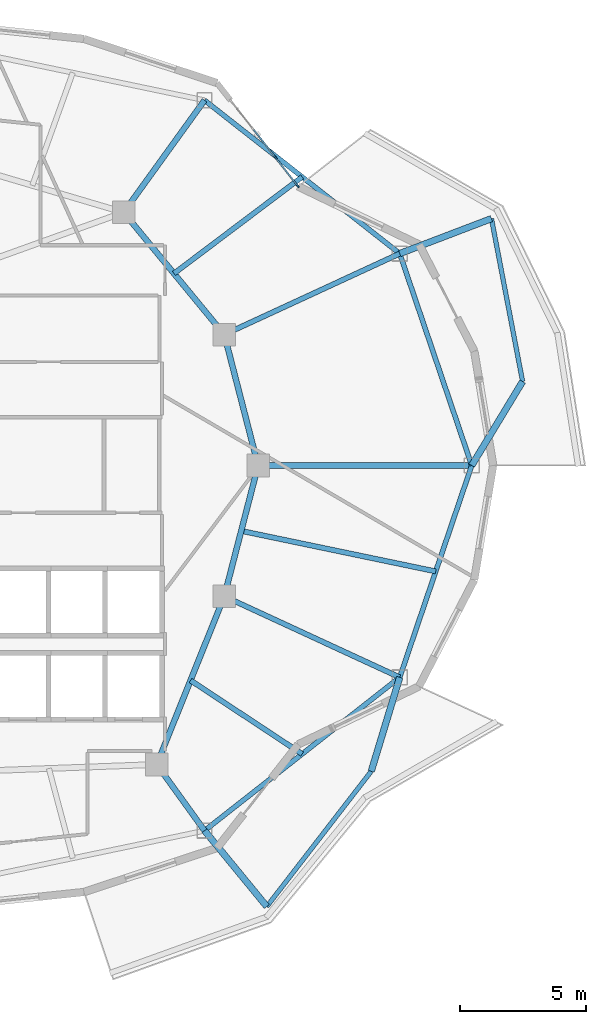
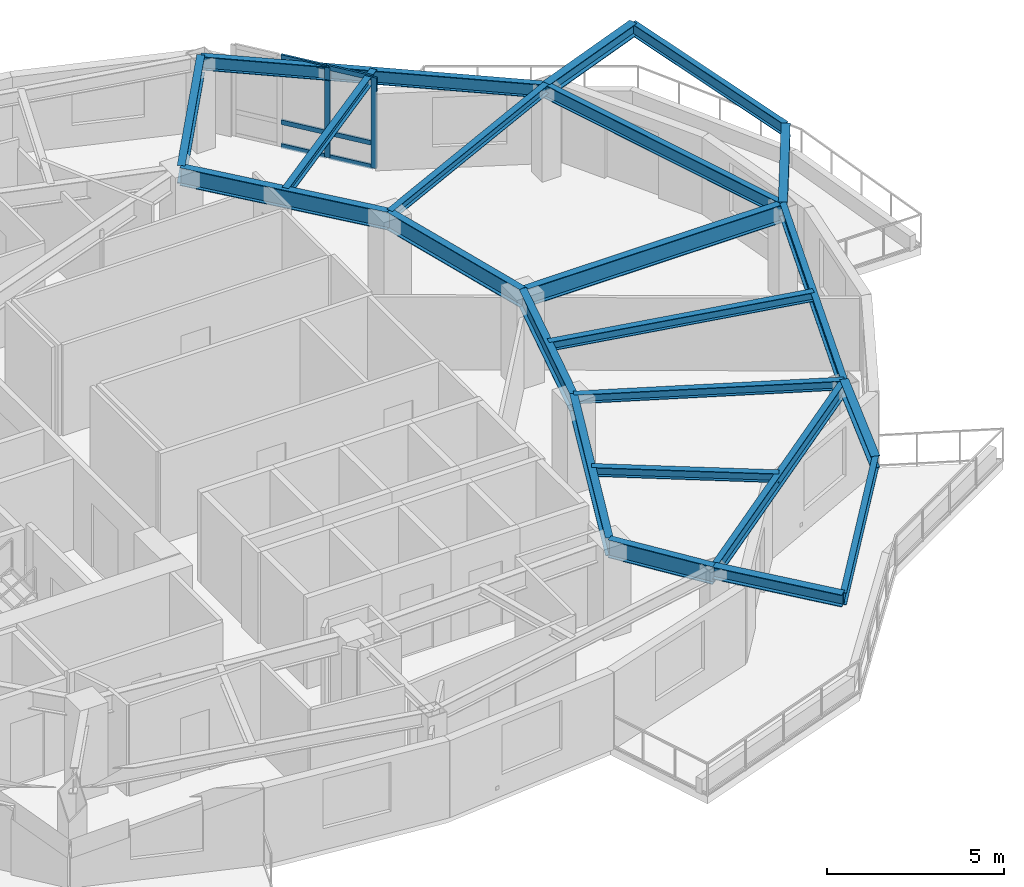
# One storey, part 3 of 13: 22 beams, 8 members, 1 element without a shape of its own.
"""IFC4 building model written with IfcOpenShell, lengths in metres."""

from ifc_helpers import new_model, si_unit, direction, frame, origin, origin_2d, place, context, subcontext, project, spatial, rectangle, i_section, extrude, material, layer, layer_set, material_profile, profile_set, type_object, element, aggregate, save


model = new_model("IFC4")

# Units and contexts
model_context = context("Model", 3, precision=1e-05, world=origin(), true_north=direction((0.0, 1.0)))
body_context = subcontext(model_context, "Body", "Model", "MODEL_VIEW")
ifc_project = project(units=[si_unit("LENGTHUNIT", "METRE"), si_unit("AREAUNIT", "SQUARE_METRE"), si_unit("VOLUMEUNIT", "CUBIC_METRE"), si_unit("PLANEANGLEUNIT", "RADIAN"), si_unit("MASSUNIT", "GRAM", prefix="KILO")], contexts=[model_context])

# Site, building, storey
site_placement = place(None, origin())
site = spatial("IfcSite", under=ifc_project, at=site_placement, CompositionType="ELEMENT")
building_placement = place(site_placement, origin())
building = spatial("IfcBuilding", under=site, at=building_placement, Name="Kolvaren Gate Tower and Convention Centre", CompositionType="ELEMENT")
storey_placement = place(building_placement, frame((0.0, 0.0, 142.699951171875)))
storey = spatial("IfcBuildingStorey", under=building, at=storey_placement, Name="L36", CompositionType="ELEMENT", Elevation=142.699951171875)

# Curtain wall, members
ifc_material_1 = material(Name="Anodized Architectural Aluminium Alloy 6063-T6", Category="aluminium")
ifc_layer = layer(ifc_material_1, 0.159912109375)
ifc_layer_set = layer_set([ifc_layer], Name="Anodized Architectural Aluminium Alloy 6063-T6")
curtain_wall_type = type_object("IfcCurtainWallType", Name="CW-HTL-UNIT", PredefinedType="NOTDEFINED", material=ifc_layer_set)
curtain_wall_placement = place(storey_placement, origin())
curtain_wall = element("IfcCurtainWall", 1, at=curtain_wall_placement, inside=storey, type_object=curtain_wall_type, Name="Tower L36 Unitised Curtain Wall CW-HTL-UNIT Bay 03", PredefinedType="NOTDEFINED")
ifc_material_profile_1 = material_profile(ifc_material_1, rectangle(XDim=0.06494140625, YDim=0.159912109375, at=origin_2d()), Name="CW-MEM-MUL-160")
ifc_profile_set_1 = profile_set([ifc_material_profile_1], Name="Anodized Architectural Aluminium Alloy 6063-T6")
member_type_1 = type_object("IfcMemberType", Name="CW-MEM-MUL-160", PredefinedType="MULLION", material=ifc_profile_set_1)
member_1_placement = place(storey_placement, frame((43.420166015625, 39.22705078125, 0.0), z_axis=(0.0, 0.0, 1.0), x_axis=(0.787403535469, 0.616437890084, 0.0)))
member_1 = element("IfcMember", 2, at=member_1_placement, type_object=member_type_1, Name="CW-03 mullion 3", PredefinedType="MULLION", context=body_context, shape_type="SweptSolid", body=[
    extrude(rectangle(XDim=0.06494140625, YDim=0.159912109375, at=origin_2d()), origin(), (0.0, 0.0, 1.0), 3.130126953125),
])
member_2_placement = place(storey_placement, frame((44.29345703125, 38.111572265625, 0.0), z_axis=(0.0, 0.0, 1.0), x_axis=(0.787403535469, 0.616437890084, 0.0)))
member_2 = element("IfcMember", 3, at=member_2_placement, type_object=member_type_1, Name="CW-03 mullion 4", PredefinedType="MULLION", context=body_context, shape_type="SweptSolid", body=[
    extrude(rectangle(XDim=0.06494140625, YDim=0.159912109375, at=origin_2d()), origin(), (0.0, 0.0, 1.0), 3.130126953125),
])
ifc_material_profile_2 = material_profile(ifc_material_1, rectangle(XDim=0.06494140625, YDim=0.159912109375, at=origin_2d()), Name="CW-MEM-TRN-160")
ifc_profile_set_2 = profile_set([ifc_material_profile_2], Name="Anodized Architectural Aluminium Alloy 6063-T6")
member_type_2 = type_object("IfcMemberType", Name="CW-MEM-TRN-160", PredefinedType="USERDEFINED", material=ifc_profile_set_2)
member_3_placement = place(storey_placement, frame((42.547119140625, 40.34228515625, 0.032470703125), z_axis=(0.616355825524, -0.787467774796, 0.0), x_axis=(0.787467774796, 0.616355825524, 0.0)))
member_3 = element("IfcMember", 4, at=member_3_placement, type_object=member_type_2, Name="CW-03 transom 2.1", ObjectType="TRANSOM", PredefinedType="USERDEFINED", context=body_context, shape_type="SweptSolid", body=[
    extrude(rectangle(XDim=0.06494140625, YDim=0.159912109375, at=origin_2d()), origin(), (0.0, 0.0, 1.0), 1.384033203125),
])
member_4_placement = place(storey_placement, frame((42.547119140625, 40.34228515625, 0.85009765625), z_axis=(0.616355825524, -0.787467774796, 0.0), x_axis=(0.787467774796, 0.616355825524, 0.0)))
member_4 = element("IfcMember", 5, at=member_4_placement, type_object=member_type_2, Name="CW-03 transom 2.2", ObjectType="TRANSOM", PredefinedType="USERDEFINED", context=body_context, shape_type="SweptSolid", body=[
    extrude(rectangle(XDim=0.06494140625, YDim=0.159912109375, at=origin_2d()), origin(), (0.0, 0.0, 1.0), 1.384033203125),
])
member_5_placement = place(storey_placement, frame((42.547119140625, 40.34228515625, 3.09765625), z_axis=(0.616355825524, -0.787467774796, 0.0), x_axis=(0.787467774796, 0.616355825524, 0.0)))
member_5 = element("IfcMember", 6, at=member_5_placement, type_object=member_type_2, Name="CW-03 transom 2.3", ObjectType="TRANSOM", PredefinedType="USERDEFINED", context=body_context, shape_type="SweptSolid", body=[
    extrude(rectangle(XDim=0.06494140625, YDim=0.159912109375, at=origin_2d()), origin(), (0.0, 0.0, 1.0), 1.384033203125),
])
member_6_placement = place(storey_placement, frame((43.440185546875, 39.201416015625, 0.032470703125), z_axis=(0.616488451497, -0.787363949626, 0.0), x_axis=(0.787363949626, 0.616488451497, 0.0)))
member_6 = element("IfcMember", 7, at=member_6_placement, type_object=member_type_2, Name="CW-03 transom 3.1", ObjectType="TRANSOM", PredefinedType="USERDEFINED", context=body_context, shape_type="SweptSolid", body=[
    extrude(rectangle(XDim=0.06494140625, YDim=0.159912109375, at=origin_2d()), origin(), (0.0, 0.0, 1.0), 1.3515625),
])
member_7_placement = place(storey_placement, frame((43.440185546875, 39.201416015625, 0.85009765625), z_axis=(0.616488451497, -0.787363949626, 0.0), x_axis=(0.787363949626, 0.616488451497, 0.0)))
member_7 = element("IfcMember", 8, at=member_7_placement, type_object=member_type_2, Name="CW-03 transom 3.2", ObjectType="TRANSOM", PredefinedType="USERDEFINED", context=body_context, shape_type="SweptSolid", body=[
    extrude(rectangle(XDim=0.06494140625, YDim=0.159912109375, at=origin_2d()), origin(), (0.0, 0.0, 1.0), 1.3515625),
])
member_8_placement = place(storey_placement, frame((43.440185546875, 39.201416015625, 3.09765625), z_axis=(0.616488451497, -0.787363949626, 0.0), x_axis=(0.787363949626, 0.616488451497, 0.0)))
member_8 = element("IfcMember", 9, at=member_8_placement, type_object=member_type_2, Name="CW-03 transom 3.3", ObjectType="TRANSOM", PredefinedType="USERDEFINED", context=body_context, shape_type="SweptSolid", body=[
    extrude(rectangle(XDim=0.06494140625, YDim=0.159912109375, at=origin_2d()), origin(), (0.0, 0.0, 1.0), 1.3515625),
])
aggregate(curtain_wall, [member_1, member_2, member_3, member_4, member_5, member_6, member_7, member_8])

# Beams
ifc_material_2 = material(Name="Structural steel ASTM A992 Grade 345 MPa", Category="steel")
ifc_material_profile_3 = material_profile(ifc_material_2, i_section(OverallWidth=0.260009765625, OverallDepth=0.419921875, WebThickness=0.013427734375, FlangeThickness=0.0224609375, at=origin_2d()), Name="W410X132")
ifc_profile_set_3 = profile_set([ifc_material_profile_3], Name="Structural steel ASTM A992 Grade 345 MPa")
beam_type_1 = type_object("IfcBeamType", Name="STR-BM-W410X132", PredefinedType="BEAM", material=ifc_profile_set_3)
for number, where, z_axis, x_axis, name in (
    (10, (51.21240234375, 27.0, 2.920654296875), (0.51832946338, 0.855181014401, 0.0), (-0.855181014401, 0.51832946338, 0.0), "Tower L37 Planted Balcony Outrigger Cantilever BC-1A"),
    (11, (48.351806640625, 35.418701171875, 2.920654296875), (0.934406389152, 0.356208786967, 0.0), (-0.356208786967, 0.934406389152, 0.0), "Tower L37 Planted Balcony Outrigger Cantilever BC-1B"),
    (12, (40.596435546875, 12.490478515625, 2.920654296875), (0.634334838323, -0.773058414927, 0.0), (0.773058414927, 0.634334838323, 0.0), "Tower L37 Planted Balcony Outrigger Cantilever BC-4A"),
    (13, (48.351806640625, 18.581298828125, 2.920654296875), (-0.290155075149, -0.956979640518, 0.0), (0.956979640518, -0.290155075149, 0.0), "Tower L37 Planted Balcony Outrigger Cantilever BC-4B"),
):
    element("IfcBeam", number, at=place(storey_placement, frame(where, z_axis=z_axis, x_axis=x_axis)), inside=storey, type_object=beam_type_1, Name=name, PredefinedType="BEAM", context=body_context, shape_type="SweptSolid", body=[
        extrude(i_section(OverallWidth=0.260009765625, OverallDepth=0.419921875, WebThickness=0.013427734375, FlangeThickness=0.0224609375, at=origin_2d()), origin(), (0.0, 0.0, 1.0), 3.89990234375),
    ])
ifc_material_profile_4 = material_profile(ifc_material_2, i_section(OverallWidth=0.22998046875, OverallDepth=0.616943359375, WebThickness=0.01318359375, FlangeThickness=0.022216796875, at=origin_2d()), Name="W610X140")
ifc_profile_set_4 = profile_set([ifc_material_profile_4], Name="Structural steel ASTM A992 Grade 345 MPa")
beam_type_2 = type_object("IfcBeamType", Name="STR-BM-W610X140", PredefinedType="BEAM", material=ifc_profile_set_4)
beam_1_placement = place(storey_placement, frame((42.72509765625, 27.0, 2.821533203125), z_axis=(-0.250091133936, -0.968222301296, 0.0), x_axis=(0.968222301296, -0.250091133936, 0.0)))
element("IfcBeam", 14, at=beam_1_placement, inside=storey, type_object=beam_type_2, Name="Tower L36 Primary Ring Girder G-01", PredefinedType="BEAM", context=body_context, shape_type="SweptSolid", body=[
    extrude(i_section(OverallWidth=0.22998046875, OverallDepth=0.616943359375, WebThickness=0.01318359375, FlangeThickness=0.022216796875, at=origin_2d()), origin(), (0.0, 0.0, 1.0), 5.3701171875),
])
beam_2_placement = place(storey_placement, frame((41.382080078125, 32.199462890625, 2.821533203125), z_axis=(-0.635884066011, 0.771784590798, 0.0), x_axis=(-0.771784590798, -0.635884066011, 0.0)))
element("IfcBeam", 15, at=beam_2_placement, inside=storey, type_object=beam_type_2, Name="Tower L36 Primary Ring Girder G-02", PredefinedType="BEAM", context=body_context, shape_type="SweptSolid", body=[
    extrude(i_section(OverallWidth=0.22998046875, OverallDepth=0.616943359375, WebThickness=0.01318359375, FlangeThickness=0.022216796875, at=origin_2d()), origin(), (0.0, 0.0, 1.0), 6.291259765625),
])
beam_3_placement = place(storey_placement, frame((38.6982421875, 15.12060546875, 2.821533203125), z_axis=(0.372811100169, 0.927907260232, 0.0), x_axis=(-0.927907260232, 0.372811100169, 0.0)))
element("IfcBeam", 16, at=beam_3_placement, inside=storey, type_object=beam_type_2, Name="Tower L36 Primary Ring Girder G-09", PredefinedType="BEAM", context=body_context, shape_type="SweptSolid", body=[
    extrude(i_section(OverallWidth=0.22998046875, OverallDepth=0.616943359375, WebThickness=0.01318359375, FlangeThickness=0.022216796875, at=origin_2d()), origin(), (0.0, 0.0, 1.0), 7.198974609375),
])
beam_4_placement = place(storey_placement, frame((42.72509765625, 27.0, 2.821533203125), z_axis=(-0.250091133936, 0.968222301296, 0.0), x_axis=(-0.968222301296, -0.250091133936, 0.0)))
element("IfcBeam", 17, at=beam_4_placement, inside=storey, type_object=beam_type_2, Name="Tower L36 Primary Ring Girder G-12", PredefinedType="BEAM", context=body_context, shape_type="SweptSolid", body=[
    extrude(i_section(OverallWidth=0.22998046875, OverallDepth=0.616943359375, WebThickness=0.01318359375, FlangeThickness=0.022216796875, at=origin_2d()), origin(), (0.0, 0.0, 1.0), 5.3701171875),
])
beam_5_placement = place(storey_placement, frame((42.72509765625, 27.0, 2.821533203125), z_axis=(1.0, 0.0, 0.0), x_axis=(0.0, 1.0, 0.0)))
element("IfcBeam", 18, at=beam_5_placement, inside=storey, type_object=beam_type_2, Name="Tower L36 Radial Floor Girder RB-01", PredefinedType="BEAM", context=body_context, shape_type="SweptSolid", body=[
    extrude(i_section(OverallWidth=0.22998046875, OverallDepth=0.616943359375, WebThickness=0.01318359375, FlangeThickness=0.022216796875, at=origin_2d()), origin(), (0.0, 0.0, 1.0), 8.4873046875),
])
beam_6_placement = place(storey_placement, frame((37.381591796875, 37.054931640625, 2.821533203125), z_axis=(0.58520818289, 0.810883088169, 0.0), x_axis=(-0.810883088169, 0.58520818289, 0.0)))
element("IfcBeam", 19, at=beam_6_placement, inside=storey, type_object=beam_type_2, Name="Tower L36 Radial Floor Girder RB-03", PredefinedType="BEAM", context=body_context, shape_type="SweptSolid", body=[
    extrude(i_section(OverallWidth=0.22998046875, OverallDepth=0.616943359375, WebThickness=0.01318359375, FlangeThickness=0.022216796875, at=origin_2d()), origin(), (0.0, 0.0, 1.0), 5.493408203125),
])
beam_7_placement = place(storey_placement, frame((38.6982421875, 15.12060546875, 2.821533203125), z_axis=(0.58521845229, -0.810875676722, 0.0), x_axis=(0.810875676722, 0.58521845229, 0.0)))
element("IfcBeam", 20, at=beam_7_placement, inside=storey, type_object=beam_type_2, Name="Tower L36 Radial Floor Girder RB-11", PredefinedType="BEAM", context=body_context, shape_type="SweptSolid", body=[
    extrude(i_section(OverallWidth=0.22998046875, OverallDepth=0.616943359375, WebThickness=0.01318359375, FlangeThickness=0.022216796875, at=origin_2d()), origin(), (0.0, 0.0, 1.0), 3.24365234375),
])
ifc_material_profile_5 = material_profile(ifc_material_2, i_section(OverallWidth=0.205078125, OverallDepth=0.31005859375, WebThickness=0.009521484375, FlangeThickness=0.016357421875, at=origin_2d()), Name="W310X74")
ifc_profile_set_5 = profile_set([ifc_material_profile_5], Name="Structural steel ASTM A992 Grade 345 MPa")
beam_type_3 = type_object("IfcBeamType", Name="STR-JS-W310X74", PredefinedType="JOIST", material=ifc_profile_set_5)
for number, where, z_axis, x_axis, name in (
    (21, (41.382080078125, 32.199462890625, 2.97509765625), (0.907838349939, 0.419320319542, 0.0), (-0.419320319542, 0.907838349939, 0.0), "Tower L36 Radial Floor Girder RB-02"),
    (22, (41.382080078125, 21.800537109375, 2.97509765625), (0.907838349939, -0.419320319542, 0.0), (0.419320319542, 0.907838349939, 0.0), "Tower L36 Radial Floor Girder RB-12"),
):
    element("IfcBeam", number, at=place(storey_placement, frame(where, z_axis=z_axis, x_axis=x_axis)), inside=storey, type_object=beam_type_3, Name=name, PredefinedType="JOIST", context=body_context, shape_type="SweptSolid", body=[
        extrude(i_section(OverallWidth=0.205078125, OverallDepth=0.31005859375, WebThickness=0.009521484375, FlangeThickness=0.016357421875, at=origin_2d()), origin(), (0.0, 0.0, 1.0), 7.67724609375),
    ])
beam_8_placement = place(storey_placement, frame((39.3818359375, 34.627197265625, 2.97509765625), z_axis=(0.798665513939, 0.601775204577, 0.0), x_axis=(-0.601775204577, 0.798665513939, 0.0)))
element("IfcBeam", 23, at=beam_8_placement, inside=storey, type_object=beam_type_3, Name="Tower L36 Secondary Composite Floor Joist J-02.1", PredefinedType="JOIST", context=body_context, shape_type="SweptSolid", body=[
    extrude(i_section(OverallWidth=0.205078125, OverallDepth=0.31005859375, WebThickness=0.009521484375, FlangeThickness=0.016357421875, at=origin_2d()), origin(), (0.0, 0.0, 1.0), 6.3759765625),
])
beam_9_placement = place(storey_placement, frame((40.040283203125, 18.46044921875, 2.97509765625), z_axis=(0.834762790112, -0.550609738602, 0.0), x_axis=(0.550609738602, 0.834762790112, 0.0)))
element("IfcBeam", 24, at=beam_9_placement, inside=storey, type_object=beam_type_3, Name="Tower L36 Secondary Composite Floor Joist J-11.1", PredefinedType="JOIST", context=body_context, shape_type="SweptSolid", body=[
    extrude(i_section(OverallWidth=0.205078125, OverallDepth=0.31005859375, WebThickness=0.009521484375, FlangeThickness=0.016357421875, at=origin_2d()), origin(), (0.0, 0.0, 1.0), 5.3115234375),
])
beam_10_placement = place(storey_placement, frame((42.0537109375, 24.400146484375, 2.97509765625), z_axis=(0.978997655145, -0.203871506641, 0.0), x_axis=(0.203871506641, 0.978997655145, 0.0)))
element("IfcBeam", 25, at=beam_10_placement, inside=storey, type_object=beam_type_3, Name="Tower L36 Secondary Composite Floor Joist J-12.1", PredefinedType="JOIST", context=body_context, shape_type="SweptSolid", body=[
    extrude(i_section(OverallWidth=0.205078125, OverallDepth=0.31005859375, WebThickness=0.009521484375, FlangeThickness=0.016357421875, at=origin_2d()), origin(), (0.0, 0.0, 1.0), 7.89404296875),
])
ifc_material_profile_6 = material_profile(ifc_material_2, i_section(OverallWidth=0.180908203125, OverallDepth=0.4169921875, WebThickness=0.010986328125, FlangeThickness=0.018310546875, at=origin_2d()), Name="W410X85")
ifc_profile_set_6 = profile_set([ifc_material_profile_6], Name="Structural steel ASTM A992 Grade 345 MPa")
beam_type_4 = type_object("IfcBeamType", Name="STR-SP-W410X85", PredefinedType="SPANDREL", material=ifc_profile_set_6)
beam_11_placement = place(storey_placement, frame((53.23388671875, 30.335205078125, 2.922119140625), z_axis=(-0.187866209954, 0.982194627942, 0.0), x_axis=(-0.982194627942, -0.187866209954, 0.0)))
element("IfcBeam", 26, at=beam_11_placement, inside=storey, type_object=beam_type_4, Name="Tower L37 Planted Balcony Header Tie Beam BT-1", PredefinedType="SPANDREL", context=body_context, shape_type="SweptSolid", body=[
    extrude(i_section(OverallWidth=0.180908203125, OverallDepth=0.4169921875, WebThickness=0.010986328125, FlangeThickness=0.018310546875, at=origin_2d()), origin(), (0.0, 0.0, 1.0), 6.590087890625),
])
beam_12_placement = place(storey_placement, frame((43.0703125, 9.4755859375, 2.922119140625), z_axis=(0.611228468279, 0.791454205602, 0.0), x_axis=(-0.791454205602, 0.611228468279, 0.0)))
element("IfcBeam", 27, at=beam_12_placement, inside=storey, type_object=beam_type_4, Name="Tower L37 Planted Balcony Header Tie Beam BT-4", PredefinedType="SPANDREL", context=body_context, shape_type="SweptSolid", body=[
    extrude(i_section(OverallWidth=0.180908203125, OverallDepth=0.4169921875, WebThickness=0.010986328125, FlangeThickness=0.018310546875, at=origin_2d()), origin(), (0.0, 0.0, 1.0), 6.78955078125),
])
ifc_material_profile_7 = material_profile(ifc_material_2, i_section(OverallWidth=0.194091796875, OverallDepth=0.468994140625, WebThickness=0.0126953125, FlangeThickness=0.0205078125, at=origin_2d()), Name="W460X106")
ifc_profile_set_7 = profile_set([ifc_material_profile_7], Name="Structural steel ASTM A992 Grade 345 MPa")
beam_type_5 = type_object("IfcBeamType", Name="STR-SP-W460X106", PredefinedType="SPANDREL", material=ifc_profile_set_7)
beam_13_placement = place(storey_placement, frame((51.21240234375, 27.0, 2.8955078125), z_axis=(-0.321725023609, 0.946833147489, 0.0), x_axis=(-0.946833147489, -0.321725023609, 0.0)))
element("IfcBeam", 28, at=beam_13_placement, inside=storey, type_object=beam_type_5, Name="Tower L36 Perimeter Spandrel Beam SP-01", PredefinedType="SPANDREL", context=body_context, shape_type="SweptSolid", body=[
    extrude(i_section(OverallWidth=0.194091796875, OverallDepth=0.468994140625, WebThickness=0.0126953125, FlangeThickness=0.0205078125, at=origin_2d()), origin(), (0.0, 0.0, 1.0), 8.891357421875),
])
for number, where, z_axis, x_axis, name in (
    (29, (48.351806640625, 35.418701171875, 2.8955078125), (-0.786450621777, 0.617653154697, 0.0), (-0.617653154697, -0.786450621777, 0.0), "Tower L36 Perimeter Spandrel Beam SP-02"),
    (30, (40.596435546875, 12.490478515625, 2.8955078125), (0.786450621777, 0.617653154697, 0.0), (-0.617653154697, 0.786450621777, 0.0), "Tower L36 Perimeter Spandrel Beam SP-11"),
):
    element("IfcBeam", number, at=place(storey_placement, frame(where, z_axis=z_axis, x_axis=x_axis)), inside=storey, type_object=beam_type_5, Name=name, PredefinedType="SPANDREL", context=body_context, shape_type="SweptSolid", body=[
        extrude(i_section(OverallWidth=0.194091796875, OverallDepth=0.468994140625, WebThickness=0.0126953125, FlangeThickness=0.0205078125, at=origin_2d()), origin(), (0.0, 0.0, 1.0), 9.861328125),
    ])
beam_14_placement = place(storey_placement, frame((48.351806640625, 18.581298828125, 2.8955078125), z_axis=(0.321725023609, 0.946833147489, 0.0), x_axis=(-0.946833147489, 0.321725023609, 0.0)))
element("IfcBeam", 31, at=beam_14_placement, inside=storey, type_object=beam_type_5, Name="Tower L36 Perimeter Spandrel Beam SP-12", PredefinedType="SPANDREL", context=body_context, shape_type="SweptSolid", body=[
    extrude(i_section(OverallWidth=0.194091796875, OverallDepth=0.468994140625, WebThickness=0.0126953125, FlangeThickness=0.0205078125, at=origin_2d()), origin(), (0.0, 0.0, 1.0), 8.891357421875),
])

save(model, "model.ifc")
